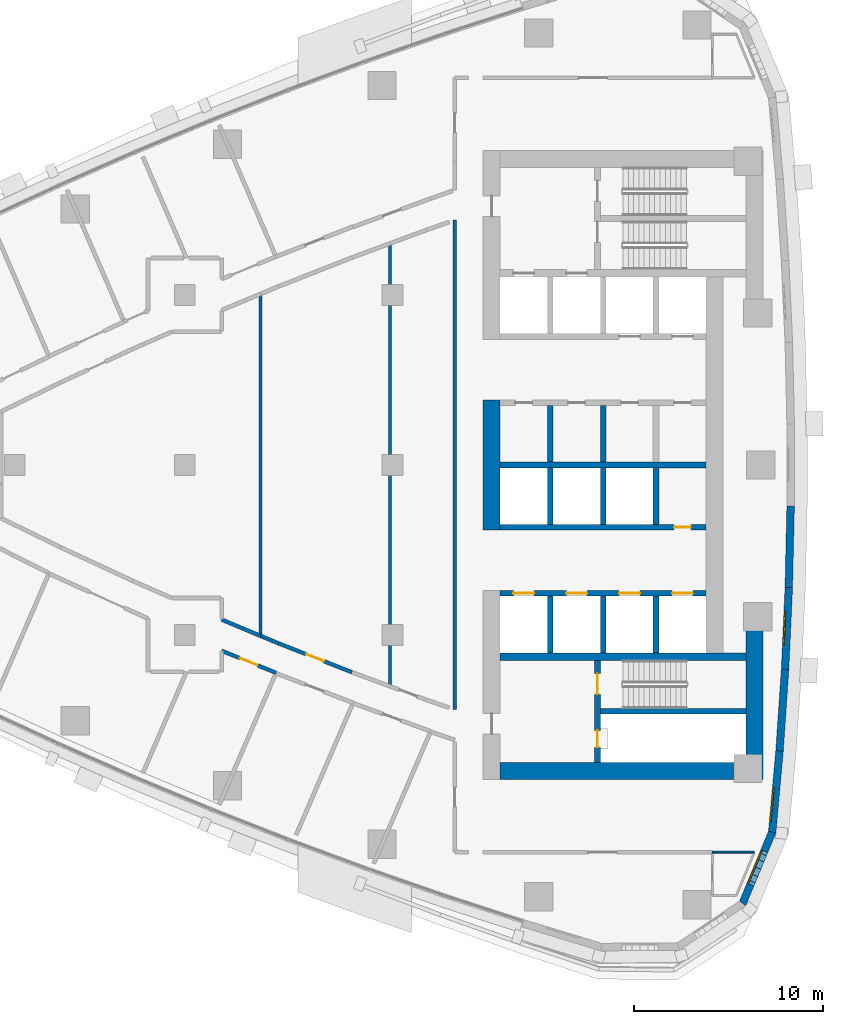
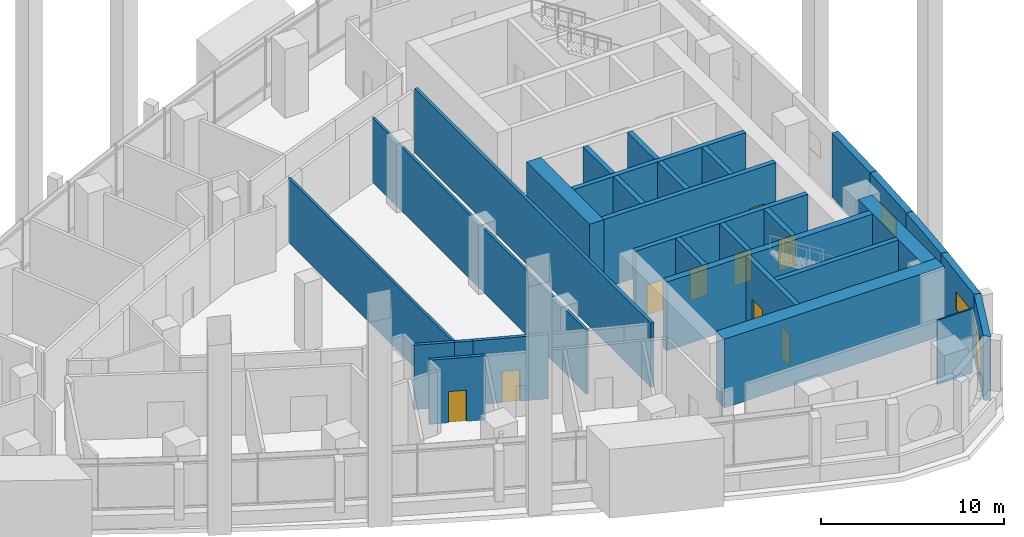
# One storey, part 9 of 17: 30 walls, 9 doors, 3 windows, 12 openings.
"""IFC4 building model written with IfcOpenShell, lengths in metres."""

from ifc_helpers import new_model, si_unit, direction, frame, frame_2d, origin, place, context, subcontext, project, spatial, polyline, rectangle, outline, extrude, material, layer, layer_set, type_object, element, fill, save


model = new_model("IFC4")

# Units and contexts
model_context = context("Model", 3, precision=1e-05, world=origin(), true_north=direction((0.0, 1.0)))
body_context = subcontext(model_context, "Body", "Model", "MODEL_VIEW")
ifc_project = project(units=[si_unit("LENGTHUNIT", "METRE"), si_unit("AREAUNIT", "SQUARE_METRE"), si_unit("VOLUMEUNIT", "CUBIC_METRE"), si_unit("PLANEANGLEUNIT", "RADIAN"), si_unit("MASSUNIT", "GRAM", prefix="KILO")], contexts=[model_context])

# Site, building, storey
site_placement = place(None, origin())
site = spatial("IfcSite", under=ifc_project, at=site_placement, CompositionType="ELEMENT")
building_placement = place(site_placement, origin())
building = spatial("IfcBuilding", under=site, at=building_placement, Name="Ostrand Prow Hotel Tower", CompositionType="ELEMENT")
storey_placement = place(building_placement, frame((0.0, 0.0, 125.60009765625)))
storey = spatial("IfcBuildingStorey", under=building, at=storey_placement, Name="L30", CompositionType="ELEMENT", Elevation=125.60009765625)

# Walls
ifc_material_1 = material(Name="Concrete C70/85", Category="concrete")
ifc_layer_1 = layer(ifc_material_1, 0.300048828125)
ifc_layer_set_1 = layer_set([ifc_layer_1], Name="Concrete C70/85")
wall_type_1 = type_object("IfcWallType", Name="Core wall 300 C70/85", PredefinedType="SHEAR", material=ifc_layer_set_1)
wall_1_placement = place(storey_placement, frame((50.699951171875, 0.0, 0.0), z_axis=(0.0, 0.0, 1.0), x_axis=(1.0, 0.0, 0.0)))
element("IfcWall", 1, at=wall_1_placement, inside=storey, type_object=wall_type_1, Name="Core wall PW-C", PredefinedType="SHEAR", context=body_context, shape_type="SweptSolid", body=[
    extrude(rectangle(XDim=10.900146484375, YDim=0.300048828125, at=frame_2d((5.4501953125, 0.0))), origin(), (0.0, 0.0, 1.0), 4.599853515625),
])
for number, where, z_axis, x_axis, name in (
    (2, (53.35009765625, 0.14990234375, 0.0), (0.0, 0.0, 1.0), (0.0, 1.0, 0.0), "Core wall PW-R1-NB"),
    (3, (56.14990234375, 0.14990234375, 0.0), (0.0, 0.0, 1.0), (0.0, 1.0, 0.0), "Core wall PW-R2-NB"),
):
    element("IfcWall", number, at=place(storey_placement, frame(where, z_axis=z_axis, x_axis=x_axis)), inside=storey, type_object=wall_type_1, Name=name, PredefinedType="SHEAR", context=body_context, shape_type="SweptSolid", body=[
        extrude(rectangle(XDim=3.0, YDim=0.300048828125, at=frame_2d((1.5, 0.0))), origin(), (0.0, 0.0, 1.0), 4.599853515625),
    ])

# Wall, opening, door
wall_2_placement = place(storey_placement, frame((50.699951171875, -3.300048828125, 0.0), z_axis=(0.0, 0.0, 1.0), x_axis=(1.0, 0.0, 0.0)))
wall_2 = element("IfcWall", 4, at=wall_2_placement, inside=storey, type_object=wall_type_1, Name="Core wall PW-L1-S", PredefinedType="SHEAR", context=body_context, shape_type="SweptSolid", body=[
    extrude(rectangle(XDim=10.900146484375, YDim=0.300048828125, at=frame_2d((5.4501953125, 0.0))), origin(), (0.0, 0.0, 1.0), 4.599853515625),
])
opening_1_placement = place(wall_2_placement, frame((9.199951171875, 0.0, 0.0)))
opening_1 = element("IfcOpeningElement", 5, at=opening_1_placement, cuts=wall_2, Name="Opening FD2", PredefinedType="OPENING", context=body_context, shape_type="SweptSolid", body=[
    extrude(rectangle(XDim=0.89990234375, YDim=2.10009765625, at=frame_2d((0.449951171875, 1.050048828125))), frame((0.0, 0.159912109375, 0.0), z_axis=(0.0, -1.0, 0.0), x_axis=(1.0, 0.0, 0.0)), (0.0, 0.0, 1.0), 0.320068359375),
])
ifc_material_2 = material(Name="Steel fire door", Category="steel")
door_type_1 = type_object("IfcDoorType", Name="Fire door 900 EI120", OperationType="SINGLE_SWING_LEFT", PredefinedType="DOOR", material=ifc_material_2)
door_1_placement = place(opening_1_placement, origin())
door_1 = element("IfcDoor", 6, at=door_1_placement, inside=storey, type_object=door_type_1, Name="DOOR", OperationType="SINGLE_SWING_LEFT", OverallHeight=2.10009765625, OverallWidth=0.89990234375, PredefinedType="DOOR", context=body_context, shape_type="SweptSolid", body=[
    extrude(rectangle(XDim=0.89990234375, YDim=2.10009765625, at=frame_2d((0.449951171875, 1.050048828125))), frame((0.0, 0.02490234375, 0.0), z_axis=(0.0, -1.0, 0.0), x_axis=(1.0, 0.0, 0.0)), (0.0, 0.0, 1.0), 0.050048828125),
])
fill(opening_1, door_1)

# Wall, openings, doors
wall_3_placement = place(storey_placement, frame((50.699951171875, -6.800048828125, 0.0), z_axis=(0.0, 0.0, 1.0), x_axis=(1.0, 0.0, 0.0)))
wall_3 = element("IfcWall", 7, at=wall_3_placement, inside=storey, type_object=wall_type_1, Name="Core wall PW-L2-S", PredefinedType="SHEAR", context=body_context, shape_type="SweptSolid", body=[
    extrude(rectangle(XDim=10.900146484375, YDim=0.300048828125, at=frame_2d((5.4501953125, 0.0))), origin(), (0.0, 0.0, 1.0), 4.599853515625),
])
opening_2_placement = place(wall_3_placement, frame((0.699951171875, 0.0, 0.0)))
opening_2 = element("IfcOpeningElement", 8, at=opening_2_placement, cuts=wall_3, Name="Opening LD", PredefinedType="OPENING", context=body_context, shape_type="SweptSolid", body=[
    extrude(rectangle(XDim=1.10009765625, YDim=2.10009765625, at=frame_2d((0.550048828125, 1.050048828125))), frame((0.0, 0.159912109375, 0.0), z_axis=(0.0, -1.0, 0.0), x_axis=(1.0, 0.0, 0.0)), (0.0, 0.0, 1.0), 0.320068359375),
])
opening_3_placement = place(wall_3_placement, frame((3.5, 0.0, 0.0)))
opening_3 = element("IfcOpeningElement", 9, at=opening_3_placement, cuts=wall_3, Name="Opening LD", PredefinedType="OPENING", context=body_context, shape_type="SweptSolid", body=[
    extrude(rectangle(XDim=1.10009765625, YDim=2.10009765625, at=frame_2d((0.550048828125, 1.050048828125))), frame((0.0, 0.159912109375, 0.0), z_axis=(0.0, -1.0, 0.0), x_axis=(1.0, 0.0, 0.0)), (0.0, 0.0, 1.0), 0.320068359375),
])
opening_4_placement = place(wall_3_placement, frame((6.300048828125, 0.0, 0.0)))
opening_4 = element("IfcOpeningElement", 10, at=opening_4_placement, cuts=wall_3, Name="Opening LD", PredefinedType="OPENING", context=body_context, shape_type="SweptSolid", body=[
    extrude(rectangle(XDim=1.10009765625, YDim=2.10009765625, at=frame_2d((0.550048828125, 1.050048828125))), frame((0.0, 0.159912109375, 0.0), z_axis=(0.0, -1.0, 0.0), x_axis=(1.0, 0.0, 0.0)), (0.0, 0.0, 1.0), 0.320068359375),
])
opening_5_placement = place(wall_3_placement, frame((9.10009765625, 0.0, 0.0)))
opening_5 = element("IfcOpeningElement", 11, at=opening_5_placement, cuts=wall_3, Name="Opening LD", PredefinedType="OPENING", context=body_context, shape_type="SweptSolid", body=[
    extrude(rectangle(XDim=1.10009765625, YDim=2.10009765625, at=frame_2d((0.550048828125, 1.050048828125))), frame((0.0, 0.159912109375, 0.0), z_axis=(0.0, -1.0, 0.0), x_axis=(1.0, 0.0, 0.0)), (0.0, 0.0, 1.0), 0.320068359375),
])
ifc_material_3 = material(Name="Stainless steel door", Category="steel")
door_type_2 = type_object("IfcDoorType", Name="Lift landing door 1100", OperationType="DOUBLE_DOOR_SLIDING", PredefinedType="DOOR", material=ifc_material_3)
door_2_placement = place(opening_2_placement, origin())
door_2 = element("IfcDoor", 12, at=door_2_placement, inside=storey, type_object=door_type_2, Name="LIFT LANDING DOOR", OperationType="DOUBLE_DOOR_SLIDING", OverallHeight=2.10009765625, OverallWidth=1.10009765625, PredefinedType="DOOR", context=body_context, shape_type="SweptSolid", body=[
    extrude(rectangle(XDim=1.10009765625, YDim=2.10009765625, at=frame_2d((0.550048828125, 1.050048828125))), frame((0.0, 0.02490234375, 0.0), z_axis=(0.0, -1.0, 0.0), x_axis=(1.0, 0.0, 0.0)), (0.0, 0.0, 1.0), 0.050048828125),
])
fill(opening_2, door_2)
door_3_placement = place(opening_3_placement, origin())
door_3 = element("IfcDoor", 13, at=door_3_placement, inside=storey, type_object=door_type_2, Name="LIFT LANDING DOOR", OperationType="DOUBLE_DOOR_SLIDING", OverallHeight=2.10009765625, OverallWidth=1.10009765625, PredefinedType="DOOR", context=body_context, shape_type="SweptSolid", body=[
    extrude(rectangle(XDim=1.10009765625, YDim=2.10009765625, at=frame_2d((0.550048828125, 1.050048828125))), frame((0.0, 0.02490234375, 0.0), z_axis=(0.0, -1.0, 0.0), x_axis=(1.0, 0.0, 0.0)), (0.0, 0.0, 1.0), 0.050048828125),
])
fill(opening_3, door_3)
door_4_placement = place(opening_4_placement, origin())
door_4 = element("IfcDoor", 14, at=door_4_placement, inside=storey, type_object=door_type_2, Name="LIFT LANDING DOOR", OperationType="DOUBLE_DOOR_SLIDING", OverallHeight=2.10009765625, OverallWidth=1.10009765625, PredefinedType="DOOR", context=body_context, shape_type="SweptSolid", body=[
    extrude(rectangle(XDim=1.10009765625, YDim=2.10009765625, at=frame_2d((0.550048828125, 1.050048828125))), frame((0.0, 0.02490234375, 0.0), z_axis=(0.0, -1.0, 0.0), x_axis=(1.0, 0.0, 0.0)), (0.0, 0.0, 1.0), 0.050048828125),
])
fill(opening_4, door_4)
door_5_placement = place(opening_5_placement, origin())
door_5 = element("IfcDoor", 15, at=door_5_placement, inside=storey, type_object=door_type_2, Name="LIFT LANDING DOOR", OperationType="DOUBLE_DOOR_SLIDING", OverallHeight=2.10009765625, OverallWidth=1.10009765625, PredefinedType="DOOR", context=body_context, shape_type="SweptSolid", body=[
    extrude(rectangle(XDim=1.10009765625, YDim=2.10009765625, at=frame_2d((0.550048828125, 1.050048828125))), frame((0.0, 0.02490234375, 0.0), z_axis=(0.0, -1.0, 0.0), x_axis=(1.0, 0.0, 0.0)), (0.0, 0.0, 1.0), 0.050048828125),
])
fill(opening_5, door_5)

# Walls
for number, where, z_axis, x_axis, name in (
    (16, (53.35009765625, -3.14990234375, 0.0), (0.0, 0.0, 1.0), (0.0, 1.0, 0.0), "Core wall PW-R1-SB"),
    (17, (53.35009765625, -9.949951171875, 0.0), (0.0, 0.0, 1.0), (0.0, 1.0, 0.0), "Core wall PW-R1-SA"),
    (18, (56.14990234375, -3.14990234375, 0.0), (0.0, 0.0, 1.0), (0.0, 1.0, 0.0), "Core wall PW-R2-SB"),
    (19, (56.14990234375, -9.949951171875, 0.0), (0.0, 0.0, 1.0), (0.0, 1.0, 0.0), "Core wall PW-R2-SA"),
    (20, (58.949951171875, -3.14990234375, 0.0), (0.0, 0.0, 1.0), (0.0, 1.0, 0.0), "Core wall PW-R3-SB"),
    (21, (58.949951171875, -9.949951171875, 0.0), (0.0, 0.0, 1.0), (0.0, 1.0, 0.0), "Core wall PW-R3-SA"),
):
    element("IfcWall", number, at=place(storey_placement, frame(where, z_axis=z_axis, x_axis=x_axis)), inside=storey, type_object=wall_type_1, Name=name, PredefinedType="SHEAR", context=body_context, shape_type="SweptSolid", body=[
        extrude(rectangle(XDim=3.0, YDim=0.300048828125, at=frame_2d((1.5, 0.0))), origin(), (0.0, 0.0, 1.0), 4.599853515625),
    ])

# Wall, openings, doors
wall_4_placement = place(storey_placement, frame((55.85009765625, -15.75, 0.0), z_axis=(0.0, 0.0, 1.0), x_axis=(0.0, 1.0, 0.0)))
wall_4 = element("IfcWall", 22, at=wall_4_placement, inside=storey, type_object=wall_type_1, Name="Core wall PW-VS", PredefinedType="SHEAR", context=body_context, shape_type="SweptSolid", body=[
    extrude(rectangle(XDim=5.39990234375, YDim=0.300048828125, at=frame_2d((2.699951171875, 0.0))), origin(), (0.0, 0.0, 1.0), 4.599853515625),
])
opening_6_placement = place(wall_4_placement, frame((3.60009765625, 0.0, 0.0)))
opening_6 = element("IfcOpeningElement", 23, at=opening_6_placement, cuts=wall_4, Name="Opening FD1", PredefinedType="OPENING", context=body_context, shape_type="SweptSolid", body=[
    extrude(rectangle(XDim=1.10009765625, YDim=2.10009765625, at=frame_2d((0.550048828125, 1.050048828125))), frame((0.0, 0.159912109375, 0.0), z_axis=(0.0, -1.0, 0.0), x_axis=(1.0, 0.0, 0.0)), (0.0, 0.0, 1.0), 0.320068359375),
])
opening_7_placement = place(wall_4_placement, frame((0.800048828125, 0.0, 0.0)))
opening_7 = element("IfcOpeningElement", 24, at=opening_7_placement, cuts=wall_4, Name="Opening FD2", PredefinedType="OPENING", context=body_context, shape_type="SweptSolid", body=[
    extrude(rectangle(XDim=0.89990234375, YDim=2.10009765625, at=frame_2d((0.449951171875, 1.050048828125))), frame((0.0, 0.159912109375, 0.0), z_axis=(0.0, -1.0, 0.0), x_axis=(1.0, 0.0, 0.0)), (0.0, 0.0, 1.0), 0.320068359375),
])
ifc_material_4 = material(Name="Steel fire door", Category="steel")
door_type_3 = type_object("IfcDoorType", Name="Fire door 1100 EI120", OperationType="SINGLE_SWING_RIGHT", PredefinedType="DOOR", material=ifc_material_4)
door_6_placement = place(opening_6_placement, origin())
door_6 = element("IfcDoor", 25, at=door_6_placement, inside=storey, type_object=door_type_3, Name="FIRE DOOR", OperationType="SINGLE_SWING_RIGHT", OverallHeight=2.10009765625, OverallWidth=1.10009765625, PredefinedType="DOOR", context=body_context, shape_type="SweptSolid", body=[
    extrude(rectangle(XDim=1.10009765625, YDim=2.10009765625, at=frame_2d((0.550048828125, 1.050048828125))), frame((0.0, 0.02490234375, 0.0), z_axis=(0.0, -1.0, 0.0), x_axis=(1.0, 0.0, 0.0)), (0.0, 0.0, 1.0), 0.050048828125),
])
fill(opening_6, door_6)
door_7_placement = place(opening_7_placement, origin())
door_7 = element("IfcDoor", 26, at=door_7_placement, inside=storey, type_object=door_type_1, Name="FIRE DOOR", OperationType="SINGLE_SWING_LEFT", OverallHeight=2.10009765625, OverallWidth=0.89990234375, PredefinedType="DOOR", context=body_context, shape_type="SweptSolid", body=[
    extrude(rectangle(XDim=0.89990234375, YDim=2.10009765625, at=frame_2d((0.449951171875, 1.050048828125))), frame((0.0, 0.02490234375, 0.0), z_axis=(0.0, -1.0, 0.0), x_axis=(1.0, 0.0, 0.0)), (0.0, 0.0, 1.0), 0.050048828125),
])
fill(opening_7, door_7)

# Walls
wall_5_placement = place(storey_placement, frame((56.0, -13.050048828125, 0.0), z_axis=(0.0, 0.0, 1.0), x_axis=(1.0, 0.0, 0.0)))
element("IfcWall", 27, at=wall_5_placement, inside=storey, type_object=wall_type_1, Name="Core wall PW-ST2R", PredefinedType="SHEAR", context=body_context, shape_type="SweptSolid", body=[
    extrude(rectangle(XDim=7.719970703125, YDim=0.300048828125, at=frame_2d((3.85986328125, 0.0))), origin(), (0.0, 0.0, 1.0), 4.599853515625),
])
ifc_material_5 = material(Name="Concrete C70/85", Category="concrete")
ifc_layer_2 = layer(ifc_material_5, 0.39990234375)
ifc_layer_set_2 = layer_set([ifc_layer_2], Name="Concrete C70/85")
wall_type_2 = type_object("IfcWallType", Name="Core wall 400 C70/85", PredefinedType="SHEAR", material=ifc_layer_set_2)
wall_6_placement = place(storey_placement, frame((50.699951171875, -10.14990234375, 0.0), z_axis=(0.0, 0.0, 1.0), x_axis=(1.0, 0.0, 0.0)))
element("IfcWall", 28, at=wall_6_placement, inside=storey, type_object=wall_type_2, Name="Core wall PW-BS", PredefinedType="SHEAR", context=body_context, shape_type="SweptSolid", body=[
    extrude(rectangle(XDim=13.02001953125, YDim=0.39990234375, at=frame_2d((6.510009765625, 0.0))), origin(), (0.0, 0.0, 1.0), 4.599853515625),
])
ifc_material_6 = material(Name="Concrete C70/85", Category="concrete")
ifc_layer_3 = layer(ifc_material_6, 0.89990234375)
ifc_layer_set_3 = layer_set([ifc_layer_3], Name="Concrete C70/85")
wall_type_3 = type_object("IfcWallType", Name="Core wall 900 C70/85", PredefinedType="SHEAR", material=ifc_layer_set_3)
wall_7_placement = place(storey_placement, frame((50.25, -3.449951171875, 0.0), z_axis=(0.0, 0.0, 1.0), x_axis=(0.0, 1.0, 0.0)))
element("IfcWall", 29, at=wall_7_placement, inside=storey, type_object=wall_type_3, Name="Core wall CW-W-C", PredefinedType="SHEAR", context=body_context, shape_type="SweptSolid", body=[
    extrude(rectangle(XDim=6.89990234375, YDim=0.89990234375, at=frame_2d((3.449951171875, 0.0))), origin(), (0.0, 0.0, 1.0), 4.599853515625),
])
wall_8_placement = place(storey_placement, frame((50.699951171875, -16.199951171875, 0.0), z_axis=(0.0, 0.0, 1.0), x_axis=(1.0, 0.0, 0.0)))
element("IfcWall", 30, at=wall_8_placement, inside=storey, type_object=wall_type_3, Name="Core wall CW-S", PredefinedType="SHEAR", context=body_context, shape_type="SweptSolid", body=[
    extrude(rectangle(XDim=13.920166015625, YDim=0.89990234375, at=frame_2d((6.9599609375, 0.0))), origin(), (0.0, 0.0, 1.0), 4.599853515625),
])
wall_9_placement = place(storey_placement, frame((64.169921875, -15.75, 0.0), z_axis=(0.0, 0.0, 1.0), x_axis=(0.0, 1.0, 0.0)))
element("IfcWall", 31, at=wall_9_placement, inside=storey, type_object=wall_type_3, Name="Core wall CW-E-S", PredefinedType="SHEAR", context=body_context, shape_type="SweptSolid", body=[
    extrude(rectangle(XDim=7.00537109375, YDim=0.89990234375, at=frame_2d((3.502685546875, 0.0))), origin(), (0.0, 0.0, 1.0), 4.599853515625),
])
ifc_material_7 = material(Name="Plasterboard partition")
ifc_layer_4 = layer(ifc_material_7, 0.10009765625)
ifc_layer_set_4 = layer_set([ifc_layer_4], Name="Plasterboard partition")
wall_type_4 = type_object("IfcWallType", Name="Partition 100 bathroom wall", PredefinedType="PARTITIONING", material=ifc_layer_set_4)
wall_10_placement = place(storey_placement, frame((61.9375, -20.5048828125, 0.0), z_axis=(0.0, 0.0, 1.0), x_axis=(1.0, 0.0, 0.0)))
element("IfcWall", 32, at=wall_10_placement, inside=storey, type_object=wall_type_4, Name="BATHROOM WALL", PredefinedType="PARTITIONING", context=body_context, shape_type="SweptSolid", body=[
    extrude(rectangle(XDim=2.21484375, YDim=0.10009765625, at=frame_2d((1.107421875, 0.0))), origin(), (0.0, 0.0, 1.0), 4.2998046875),
])
ifc_material_8 = material(Name="Plasterboard partition")
ifc_layer_5 = layer(ifc_material_8, 0.14990234375)
ifc_layer_set_5 = layer_set([ifc_layer_5], Name="Plasterboard partition")
wall_type_5 = type_object("IfcWallType", Name="Partition 150 room partition", PredefinedType="PARTITIONING", material=ifc_layer_set_5)
wall_11_placement = place(storey_placement, frame((38.01416015625, -9.0537109375, 0.0), z_axis=(0.0, 0.0, 1.0), x_axis=(0.0, 1.0, 0.0)))
element("IfcWall", 33, at=wall_11_placement, inside=storey, type_object=wall_type_5, Name="ROOM PARTITION", PredefinedType="PARTITIONING", context=body_context, shape_type="SweptSolid", body=[
    extrude(rectangle(XDim=18.107421875, YDim=0.14990234375, at=frame_2d((9.0537109375, 0.0))), origin(), (0.0, 0.0, 1.0), 4.2998046875),
])
wall_12_placement = place(storey_placement, frame((44.871337890625, -11.7265625, 0.0), z_axis=(0.0, 0.0, 1.0), x_axis=(0.0, 1.0, 0.0)))
element("IfcWall", 34, at=wall_12_placement, inside=storey, type_object=wall_type_5, Name="ROOM PARTITION", PredefinedType="PARTITIONING", context=body_context, shape_type="SweptSolid", body=[
    extrude(rectangle(XDim=23.453125, YDim=0.14990234375, at=frame_2d((11.7265625, 0.0))), origin(), (0.0, 0.0, 1.0), 4.2998046875),
])

# Wall, opening, door
ifc_material_9 = material(Name="Plasterboard partition")
ifc_layer_6 = layer(ifc_material_9, 0.199951171875)
ifc_layer_set_6 = layer_set([ifc_layer_6], Name="Plasterboard partition")
wall_type_6 = type_object("IfcWallType", Name="Partition 200 corridor wall", PredefinedType="PARTITIONING", material=ifc_layer_set_6)
wall_13_placement = place(storey_placement, frame((35.949951171875, -9.840087890625, 0.0), z_axis=(0.0, 0.0, 1.0), x_axis=(0.926663171188, -0.375892760191, 0.0)))
wall_13 = element("IfcWall", 35, at=wall_13_placement, inside=storey, type_object=wall_type_6, Name="CORRIDOR WALL", PredefinedType="PARTITIONING", context=body_context, shape_type="SweptSolid", body=[
    extrude(rectangle(XDim=3.1103515625, YDim=0.199951171875, at=frame_2d((1.55517578125, 0.0))), origin(), (0.0, 0.0, 1.0), 4.2998046875),
])
opening_8_placement = place(wall_13_placement, frame((1.05517578125, 0.0, 0.0)))
opening_8 = element("IfcOpeningElement", 36, at=opening_8_placement, cuts=wall_13, Name="Opening D1", PredefinedType="OPENING", context=body_context, shape_type="SweptSolid", body=[
    extrude(rectangle(XDim=1.0, YDim=2.10009765625, at=frame_2d((0.5, 1.050048828125))), frame((0.0, 0.10986328125, 0.0), z_axis=(0.0, -1.0, 0.0), x_axis=(1.0, 0.0, 0.0)), (0.0, 0.0, 1.0), 0.219970703125),
])
ifc_material_10 = material(Name="Timber door leaf", Category="wood")
door_type_4 = type_object("IfcDoorType", Name="Guest room door 1000", OperationType="SINGLE_SWING_LEFT", PredefinedType="DOOR", material=ifc_material_10)
door_8_placement = place(opening_8_placement, origin())
door_8 = element("IfcDoor", 37, at=door_8_placement, inside=storey, type_object=door_type_4, Name="DOOR", OperationType="SINGLE_SWING_LEFT", OverallHeight=2.10009765625, OverallWidth=1.0, PredefinedType="DOOR", context=body_context, shape_type="SweptSolid", body=[
    extrude(rectangle(XDim=1.0, YDim=2.10009765625, at=frame_2d((0.5, 1.050048828125))), frame((0.0, 0.02490234375, 0.0), z_axis=(0.0, -1.0, 0.0), x_axis=(1.0, 0.0, 0.0)), (0.0, 0.0, 1.0), 0.050048828125),
])
fill(opening_8, door_8)

# Wall
wall_14_placement = place(storey_placement, frame((38.01416015625, -9.0537109375, 0.0), z_axis=(0.0, 0.0, 1.0), x_axis=(-0.92299615886, 0.384809161441, 0.0)))
element("IfcWall", 38, at=wall_14_placement, inside=storey, type_object=wall_type_6, Name="CORRIDOR WALL", PredefinedType="PARTITIONING", context=body_context, shape_type="SweptSolid", body=[
    extrude(rectangle(XDim=2.236328125, YDim=0.199951171875, at=frame_2d((1.1181640625, 0.0))), origin(), (0.0, 0.0, 1.0), 4.2998046875),
])

# Wall, opening, door
wall_15_placement = place(storey_placement, frame((42.84716796875, -10.976806640625, 0.0), z_axis=(0.0, 0.0, 1.0), x_axis=(-0.930576677263, 0.36609704688, 0.0)))
wall_15 = element("IfcWall", 39, at=wall_15_placement, inside=storey, type_object=wall_type_6, Name="CORRIDOR WALL", PredefinedType="PARTITIONING", context=body_context, shape_type="SweptSolid", body=[
    extrude(rectangle(XDim=4.1953125, YDim=0.199951171875, at=frame_2d((2.09765625, 0.0))), origin(), (0.0, 0.0, 1.0), 4.2998046875),
])
opening_9_placement = place(wall_15_placement, frame((1.59765625, 0.0, 0.0)))
opening_9 = element("IfcOpeningElement", 40, at=opening_9_placement, cuts=wall_15, Name="Opening D1", PredefinedType="OPENING", context=body_context, shape_type="SweptSolid", body=[
    extrude(rectangle(XDim=1.0, YDim=2.10009765625, at=frame_2d((0.5, 1.050048828125))), frame((0.0, 0.10986328125, 0.0), z_axis=(0.0, -1.0, 0.0), x_axis=(1.0, 0.0, 0.0)), (0.0, 0.0, 1.0), 0.219970703125),
])
door_9_placement = place(opening_9_placement, origin())
door_9 = element("IfcDoor", 41, at=door_9_placement, inside=storey, type_object=door_type_4, Name="DOOR", OperationType="SINGLE_SWING_LEFT", OverallHeight=2.10009765625, OverallWidth=1.0, PredefinedType="DOOR", context=body_context, shape_type="SweptSolid", body=[
    extrude(rectangle(XDim=1.0, YDim=2.10009765625, at=frame_2d((0.5, 1.050048828125))), frame((0.0, 0.02490234375, 0.0), z_axis=(0.0, -1.0, 0.0), x_axis=(1.0, 0.0, 0.0)), (0.0, 0.0, 1.0), 0.050048828125),
])
fill(opening_9, door_9)

# Walls
wall_16_placement = place(storey_placement, frame((38.943115234375, -9.44091796875, 0.0), z_axis=(0.0, 0.0, 1.0), x_axis=(-0.923026676209, 0.384735954919, 0.0)))
element("IfcWall", 42, at=wall_16_placement, inside=storey, type_object=wall_type_6, Name="CORRIDOR WALL", PredefinedType="PARTITIONING", context=body_context, shape_type="SweptSolid", body=[
    extrude(rectangle(XDim=1.00634765625, YDim=0.199951171875, at=frame_2d((0.503173828125, 0.0))), origin(), (0.0, 0.0, 1.0), 4.2998046875),
])
wall_17_placement = place(storey_placement, frame((48.294921875, 12.955078125, 0.0), z_axis=(0.0, 0.0, 1.0), x_axis=(0.0, -1.0, 0.0)))
element("IfcWall", 43, at=wall_17_placement, inside=storey, type_object=wall_type_6, Name="CORRIDOR WALL", PredefinedType="PARTITIONING", context=body_context, shape_type="SweptSolid", body=[
    extrude(rectangle(XDim=25.91015625, YDim=0.199951171875, at=frame_2d((12.955078125, 0.0))), origin(), (0.0, 0.0, 1.0), 4.2998046875),
])

# Wall, opening, window
ifc_material_11 = material(Name="Precast concrete C40/50", Category="concrete")
ifc_layer_7 = layer(ifc_material_11, 0.39990234375)
ifc_layer_set_7 = layer_set([ifc_layer_7], Name="Precast concrete C40/50")
wall_type_7 = type_object("IfcWallType", Name="Stone-faced precast wall 400 mm", PredefinedType="NOTDEFINED", material=ifc_layer_set_7)
wall_18_placement = place(storey_placement, frame((63.5302734375, -23.218505859375, 0.0), z_axis=(0.0, 0.0, 1.0), x_axis=(0.383817293519, 0.923409056267, 0.0)))
wall_18 = element("IfcWall", 44, at=wall_18_placement, inside=storey, type_object=wall_type_7, Name="Stone-faced wall back 4", PredefinedType="NOTDEFINED", context=body_context, shape_type="SweptSolid", body=[
    extrude(outline(polyline([(-0.060302734375, -0.199951171875), (4.11474609375, -0.199951171875), (4.0537109375, 0.199951171875), (0.060302734375, 0.199951171875), (-0.060302734375, -0.199951171875)])), origin(), (0.0, 0.0, 1.0), 4.2998046875),
])
opening_10_placement = place(wall_18_placement, frame((0.94189453125, 0.0, 0.60009765625)))
opening_10 = element("IfcOpeningElement", 45, at=opening_10_placement, cuts=wall_18, Name="Opening WP2", PredefinedType="OPENING", context=body_context, shape_type="SweptSolid", body=[
    extrude(outline(polyline([(0.0, 1.35009765625), (0.083740234375, 1.77099609375), (0.322265625, 2.127685546875), (0.678955078125, 2.3662109375), (1.10009765625, 2.449951171875), (1.52099609375, 2.3662109375), (1.877685546875, 2.127685546875), (2.1162109375, 1.77099609375), (2.199951171875, 1.35009765625), (2.199951171875, 1.10009765625), (2.1162109375, 0.678955078125), (1.877685546875, 0.322265625), (1.52099609375, 0.083740234375), (1.10009765625, 0.0), (0.678955078125, 0.083740234375), (0.322265625, 0.322265625), (0.083740234375, 0.678955078125), (0.0, 1.099853515625), (0.0, 1.35009765625)])), frame((0.0, 0.2099609375, 0.0), z_axis=(0.0, -1.0, 0.0), x_axis=(1.0, 0.0, 0.0)), (0.0, 0.0, 1.0), 0.419921875),
])
ifc_material_12 = material(Name="Insulated glass in bronze frame", Category="glass")
window_type_1 = type_object("IfcWindowType", Name="Round-ended prow lounge window 2200x2450", PartitioningType="SINGLE_PANEL", PredefinedType="WINDOW", material=ifc_material_12)
window_1_placement = place(opening_10_placement, origin())
window_1 = element("IfcWindow", 46, at=window_1_placement, inside=storey, type_object=window_type_1, Name="Window back 4.1", OverallHeight=2.449951171875, OverallWidth=2.199951171875, PartitioningType="SINGLE_PANEL", PredefinedType="WINDOW", context=body_context, shape_type="SweptSolid", body=[
    extrude(outline(polyline([(0.0, 1.35009765625), (0.083740234375, 1.77099609375), (0.322265625, 2.127685546875), (0.678955078125, 2.3662109375), (1.10009765625, 2.449951171875), (1.52099609375, 2.3662109375), (1.877685546875, 2.127685546875), (2.1162109375, 1.77099609375), (2.199951171875, 1.35009765625), (2.199951171875, 1.10009765625), (2.1162109375, 0.678955078125), (1.877685546875, 0.322265625), (1.52099609375, 0.083740234375), (1.10009765625, 0.0), (0.678955078125, 0.083740234375), (0.322265625, 0.322265625), (0.083740234375, 0.678955078125), (0.0, 1.099853515625), (0.0, 1.35009765625)])), frame((0.0, 0.169921875, 0.0), z_axis=(0.0, -1.0, 0.0), x_axis=(1.0, 0.0, 0.0)), (0.0, 0.0, 1.0), 0.06005859375),
])
fill(opening_10, window_1)

wall_19_placement = place(storey_placement, frame((65.097900390625, -19.447021484375, 0.0), z_axis=(0.0, 0.0, 1.0), x_axis=(0.090296735989, 0.995914905737, 0.0)))
wall_19 = element("IfcWall", 47, at=wall_19_placement, inside=storey, type_object=wall_type_7, Name="Stone-faced wall back 5", PredefinedType="NOTDEFINED", context=body_context, shape_type="SweptSolid", body=[
    extrude(outline(polyline([(-0.030517578125, -0.199951171875), (4.330810546875, -0.199951171875), (4.326416015625, 0.199951171875), (0.030517578125, 0.199951171875), (-0.030517578125, -0.199951171875)])), origin(), (0.0, 0.0, 1.0), 4.2998046875),
])
opening_11_placement = place(wall_19_placement, frame((0.54296875, 0.0, 1.800048828125)))
opening_11 = element("IfcOpeningElement", 48, at=opening_11_placement, cuts=wall_19, Name="Opening WC1", PredefinedType="OPENING", context=body_context, shape_type="SweptSolid", body=[
    extrude(rectangle(XDim=1.800048828125, YDim=1.199951171875, at=frame_2d((0.89990234375, 0.60009765625))), frame((0.0, 0.2099609375, 0.0), z_axis=(0.0, -1.0, 0.0), x_axis=(1.0, 0.0, 0.0)), (0.0, 0.0, 1.0), 0.419921875),
])
ifc_material_13 = material(Name="Insulated glass in bronze frame", Category="glass")
window_type_2 = type_object("IfcWindowType", Name="Sky lobby clerestory window 1800x1200", PartitioningType="SINGLE_PANEL", PredefinedType="WINDOW", material=ifc_material_13)
window_2_placement = place(opening_11_placement, origin())
window_2 = element("IfcWindow", 49, at=window_2_placement, inside=storey, type_object=window_type_2, Name="Window back 5.1", OverallHeight=1.199951171875, OverallWidth=1.800048828125, PartitioningType="SINGLE_PANEL", PredefinedType="WINDOW", context=body_context, shape_type="SweptSolid", body=[
    extrude(rectangle(XDim=1.800048828125, YDim=1.199951171875, at=frame_2d((0.89990234375, 0.60009765625))), frame((0.0, 0.169921875, 0.0), z_axis=(0.0, -1.0, 0.0), x_axis=(1.0, 0.0, 0.0)), (0.0, 0.0, 1.0), 0.06005859375),
])
fill(opening_11, window_2)

# Wall
wall_20_placement = place(storey_placement, frame((65.48876953125, -15.135986328125, 0.0), z_axis=(0.0, 0.0, 1.0), x_axis=(0.067731727279, 0.997703569764, 0.0)))
element("IfcWall", 50, at=wall_20_placement, inside=storey, type_object=wall_type_7, Name="Stone-faced wall back 6", PredefinedType="NOTDEFINED", context=body_context, shape_type="SweptSolid", body=[
    extrude(outline(polyline([(-0.002197265625, -0.199951171875), (4.331298828125, -0.199951171875), (4.326904296875, 0.199951171875), (0.002197265625, 0.199951171875), (-0.002197265625, -0.199951171875)])), origin(), (0.0, 0.0, 1.0), 4.2998046875),
])

# Wall, opening, window
wall_21_placement = place(storey_placement, frame((65.781982421875, -10.81689453125, 0.0), z_axis=(0.0, 0.0, 1.0), x_axis=(0.045228592312, 0.99897666361, 0.0)))
wall_21 = element("IfcWall", 51, at=wall_21_placement, inside=storey, type_object=wall_type_7, Name="Stone-faced wall back 7", PredefinedType="NOTDEFINED", context=body_context, shape_type="SweptSolid", body=[
    extrude(outline(polyline([(-0.002197265625, -0.199951171875), (4.331298828125, -0.199951171875), (4.326904296875, 0.199951171875), (0.002197265625, 0.199951171875), (-0.002197265625, -0.199951171875)])), origin(), (0.0, 0.0, 1.0), 4.2998046875),
])
opening_12_placement = place(wall_21_placement, frame((1.264404296875, 0.0, 1.800048828125)))
opening_12 = element("IfcOpeningElement", 52, at=opening_12_placement, cuts=wall_21, Name="Opening WC1", PredefinedType="OPENING", context=body_context, shape_type="SweptSolid", body=[
    extrude(rectangle(XDim=1.800048828125, YDim=1.199951171875, at=frame_2d((0.89990234375, 0.60009765625))), frame((0.0, 0.2099609375, 0.0), z_axis=(0.0, -1.0, 0.0), x_axis=(1.0, 0.0, 0.0)), (0.0, 0.0, 1.0), 0.419921875),
])
window_3_placement = place(opening_12_placement, origin())
window_3 = element("IfcWindow", 53, at=window_3_placement, inside=storey, type_object=window_type_2, Name="Window back 7.1", OverallHeight=1.199951171875, OverallWidth=1.800048828125, PartitioningType="SINGLE_PANEL", PredefinedType="WINDOW", context=body_context, shape_type="SweptSolid", body=[
    extrude(rectangle(XDim=1.800048828125, YDim=1.199951171875, at=frame_2d((0.89990234375, 0.60009765625))), frame((0.0, 0.169921875, 0.0), z_axis=(0.0, -1.0, 0.0), x_axis=(1.0, 0.0, 0.0)), (0.0, 0.0, 1.0), 0.06005859375),
])
fill(opening_12, window_3)

# Wall
wall_22_placement = place(storey_placement, frame((65.977783203125, -6.4921875, 0.0), z_axis=(0.0, 0.0, 1.0), x_axis=(0.02261635063, 0.99974421763, 0.0)))
element("IfcWall", 54, at=wall_22_placement, inside=storey, type_object=wall_type_7, Name="Stone-faced wall back 8", PredefinedType="NOTDEFINED", context=body_context, shape_type="SweptSolid", body=[
    extrude(outline(polyline([(-0.002197265625, -0.199951171875), (4.3310546875, -0.199951171875), (4.32666015625, 0.199951171875), (0.002197265625, 0.199951171875), (-0.002197265625, -0.199951171875)])), origin(), (0.0, 0.0, 1.0), 4.2998046875),
])

save(model, "model.ifc")
